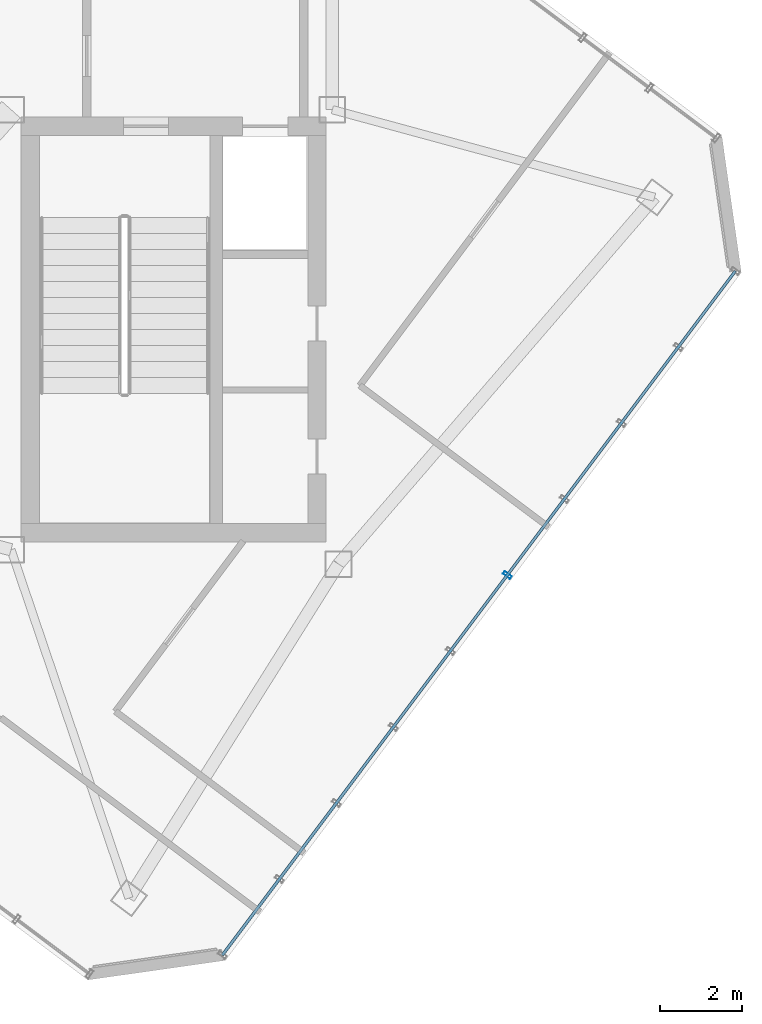
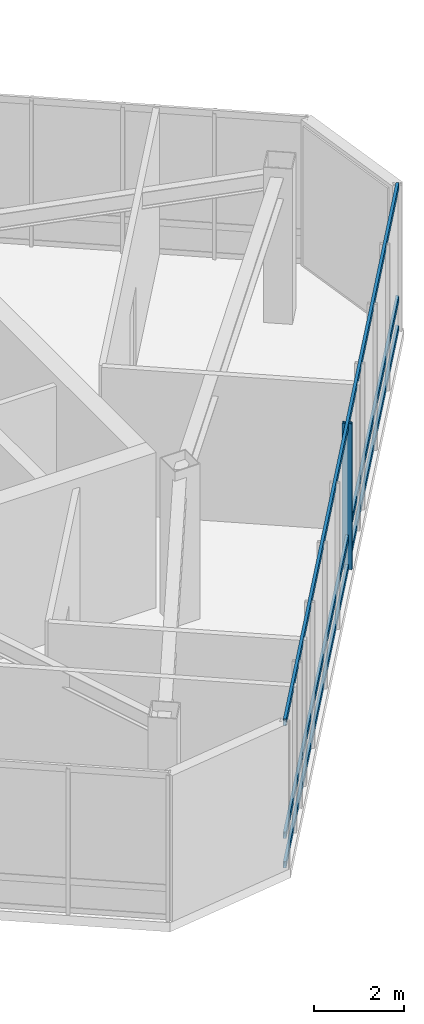
# One storey, part 10 of 22: 4 members, 1 element without a shape of its own.
"""IFC4 building model written with IfcOpenShell, lengths in metres."""

from ifc_helpers import new_model, si_unit, direction, frame, origin, origin_2d, place, context, subcontext, project, spatial, hollow_rectangle, extrude, material, layer, layer_set, material_profile, profile_set, type_object, element, aggregate, save


model = new_model("IFC4")

# Units and contexts
model_context = context("Model", 3, precision=1e-05, world=origin(), true_north=direction((0.0, 1.0)))
body_context = subcontext(model_context, "Body", "Model", "MODEL_VIEW")
ifc_project = project(units=[si_unit("LENGTHUNIT", "METRE"), si_unit("AREAUNIT", "SQUARE_METRE"), si_unit("VOLUMEUNIT", "CUBIC_METRE"), si_unit("PLANEANGLEUNIT", "RADIAN"), si_unit("MASSUNIT", "GRAM", prefix="KILO")], contexts=[model_context])

# Site, building, storey
site_placement = place(None, origin())
site = spatial("IfcSite", under=ifc_project, at=site_placement, CompositionType="ELEMENT")
building_placement = place(site_placement, origin())
building = spatial("IfcBuilding", under=site, at=building_placement, Name="Hatsunagi Terrace Concourse", CompositionType="ELEMENT")
storey_placement = place(building_placement, frame((0.0, 0.0, 257.550048828125)))
storey = spatial("IfcBuildingStorey", under=building, at=storey_placement, Name="L68", CompositionType="ELEMENT", Elevation=257.550048828125)

# Curtain wall, members
ifc_material_1 = material(Name="Anodised Aluminium Alloy 6063-T5", Category="aluminium")
ifc_layer = layer(ifc_material_1, 0.199951171875)
ifc_layer_set = layer_set([ifc_layer], Name="SkyLobbyAtrium_CW05")
curtain_wall_type = type_object("IfcCurtainWallType", Name="SkyLobbyAtrium_CW05", PredefinedType="NOTDEFINED", material=ifc_layer_set)
curtain_wall_placement = place(storey_placement, origin())
curtain_wall = element("IfcCurtainWall", 1, at=curtain_wall_placement, inside=storey, type_object=curtain_wall_type, Name="Unitised Curtain Wall CW-05 CW-L68-08", PredefinedType="NOTDEFINED")
ifc_material_2 = material(Name="Anodised Aluminium Alloy 6063-T5", Category="aluminium")
ifc_material_profile_1 = material_profile(ifc_material_2, hollow_rectangle(XDim=0.080078125, YDim=0.219970703125, WallThickness=0.0048828125, at=origin_2d()), Name="ALU-MUL-220x80x5")
ifc_profile_set_1 = profile_set([ifc_material_profile_1], Name="Anodised Aluminium Alloy 6063-T5")
member_type_1 = type_object("IfcMemberType", Name="CurtainWallMullion_Heavy_220x80", PredefinedType="MULLION", material=ifc_profile_set_1)
member_1_placement = place(storey_placement, frame((47.924072265625, 23.931884765625, 0.0), z_axis=(0.0, 0.0, 1.0), x_axis=(-0.599969314634, -0.800023013105, 0.0)))
member_1 = element("IfcMember", 2, at=member_1_placement, type_object=member_type_1, Name="Curtain Wall Mullion MUL-01", PredefinedType="MULLION", context=body_context, shape_type="SweptSolid", body=[
    extrude(hollow_rectangle(XDim=0.080078125, YDim=0.219970703125, WallThickness=0.0048828125, at=origin_2d()), origin(), (0.0, 0.0, 1.0), 3.949951171875),
])
ifc_material_3 = material(Name="Anodised Aluminium Alloy 6063-T5", Category="aluminium")
ifc_material_profile_2 = material_profile(ifc_material_3, hollow_rectangle(XDim=0.070068359375, YDim=0.179931640625, WallThickness=0.00390625, at=origin_2d()), Name="ALU-TRN-180x70x4")
ifc_profile_set_2 = profile_set([ifc_material_profile_2], Name="Anodised Aluminium Alloy 6063-T5")
member_type_2 = type_object("IfcMemberType", Name="CurtainWallTransom_Heavy_180x70", PredefinedType="USERDEFINED", material=ifc_profile_set_2)
member_2_placement = place(storey_placement, frame((53.492919921875, 31.35791015625, 0.050048828125), z_axis=(-0.599970072971, -0.800022444397, 0.0), x_axis=(0.800022444397, -0.599970072971, 0.0)))
member_2 = element("IfcMember", 3, at=member_2_placement, type_object=member_type_2, Name="Curtain Wall Transom TRN-01", ObjectType="TRANSOM", PredefinedType="USERDEFINED", context=body_context, shape_type="SweptSolid", body=[
    extrude(hollow_rectangle(XDim=0.070068359375, YDim=0.179931640625, WallThickness=0.00390625, at=origin_2d()), origin(), (0.0, 0.0, 1.0), 20.884521484375),
])
member_3_placement = place(storey_placement, frame((53.492919921875, 31.35791015625, 0.849853515625), z_axis=(-0.599970072971, -0.800022444397, 0.0), x_axis=(0.800022444397, -0.599970072971, 0.0)))
member_3 = element("IfcMember", 4, at=member_3_placement, type_object=member_type_2, Name="Curtain Wall Transom TRN-01", ObjectType="TRANSOM", PredefinedType="USERDEFINED", context=body_context, shape_type="SweptSolid", body=[
    extrude(hollow_rectangle(XDim=0.070068359375, YDim=0.179931640625, WallThickness=0.00390625, at=origin_2d()), origin(), (0.0, 0.0, 1.0), 20.884521484375),
])
member_4_placement = place(storey_placement, frame((53.492919921875, 31.35791015625, 3.89990234375), z_axis=(-0.599970072971, -0.800022444397, 0.0), x_axis=(0.800022444397, -0.599970072971, 0.0)))
member_4 = element("IfcMember", 5, at=member_4_placement, type_object=member_type_2, Name="Curtain Wall Transom TRN-01", ObjectType="TRANSOM", PredefinedType="USERDEFINED", context=body_context, shape_type="SweptSolid", body=[
    extrude(hollow_rectangle(XDim=0.070068359375, YDim=0.179931640625, WallThickness=0.00390625, at=origin_2d()), origin(), (0.0, 0.0, 1.0), 20.884521484375),
])
aggregate(curtain_wall, [member_1, member_2, member_3, member_4])

save(model, "model.ifc")
